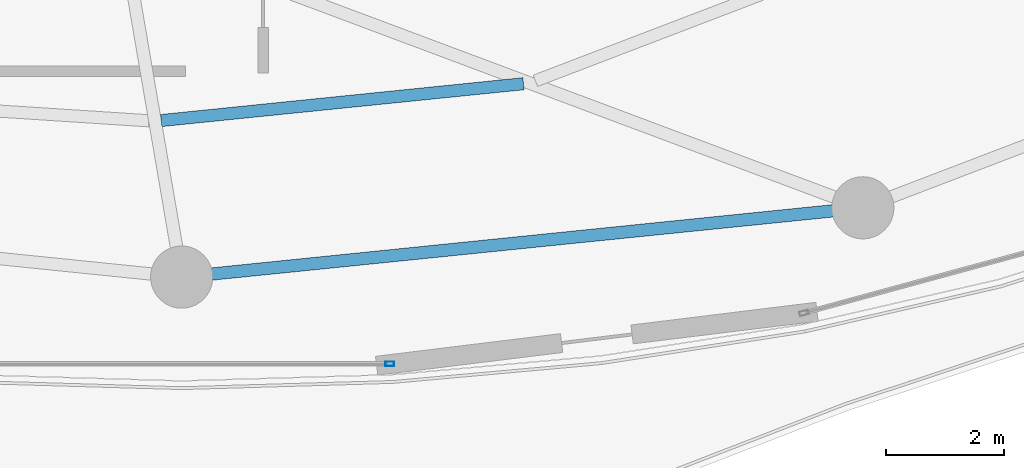
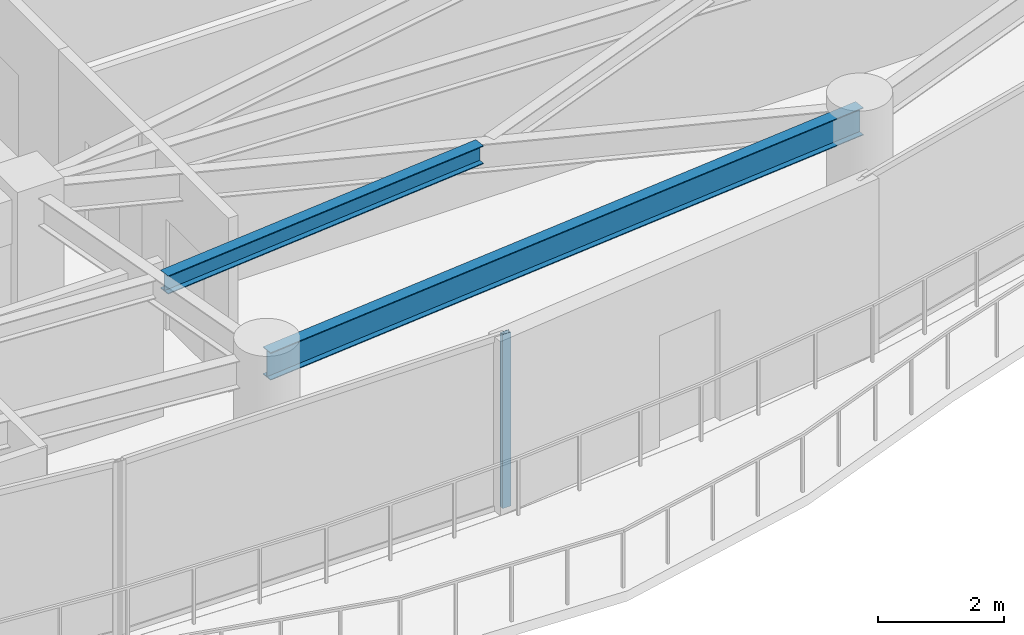
# One storey, part 10 of 31: 2 beams, 1 member, 1 element without a shape of its own.
"""IFC4 building model written with IfcOpenShell, lengths in metres."""

import ifcopenshell
import ifcopenshell.guid

model = None  # the IFC model being written
_history = None  # IfcOwnerHistory: only IFC2X3 demands one
_inside = {}  # id of a spatial element -> (the spatial element, [elements in it])
_under = {}  # id of a project, library or spatial element -> (it, [spatial elements below it])
_declared = {}  # id of a project -> (the project, [libraries it declares])
_typed = {}  # id of a type object -> (the type object, [elements of that type])
_made_of = {}  # id of a material, layer set ... -> (it, [elements and type objects made of it])


def new_model(schema):
    """Start an empty IFC model of exactly this schema.

    Asked for "IFC4X3", IfcOpenShell would pick the latest addendum, in which some entities
    have other attributes; the version numbers below select the first issue.
    IFC2X3 requires an IfcOwnerHistory on every rooted entity: one is made here for all.
    """
    global model, _history
    if schema == "IFC4X3":
        model = ifcopenshell.file(schema_version=(4, 3, 0, 0))
    else:
        model = ifcopenshell.file(schema=schema)
    _inside.clear()
    _under.clear()
    _declared.clear()
    _typed.clear()
    _made_of.clear()
    _history = None
    if model.schema == "IFC2X3":
        org = make("IfcOrganization", Name="unknown")
        user = make(
            "IfcPersonAndOrganization",
            ThePerson=make("IfcPerson", FamilyName="unknown"),
            TheOrganization=org,
        )
        app = make(
            "IfcApplication",
            ApplicationDeveloper=org,
            Version="unknown",
            ApplicationFullName="unknown",
            ApplicationIdentifier="unknown",
        )
        _history = make(
            "IfcOwnerHistory",
            OwningUser=user,
            OwningApplication=app,
            ChangeAction="ADDED",
            CreationDate=0,
        )
    return model


def make(cls, **values):
    """One entity of the class cls with the attributes given. An attribute that is None is left unset."""
    return model.create_entity(
        cls, **{name: value for name, value in values.items() if value is not None}
    )


def rooted(cls, **values):
    """An entity with a GlobalId (a new one), such as an element, a storey or a relation."""
    return make(cls, GlobalId=ifcopenshell.guid.new(), OwnerHistory=_history, **values)


def si_unit(unit_type, name, prefix=None):
    """IfcSIUnit, for example si_unit("LENGTHUNIT", "METRE", prefix="MILLI")."""
    return make("IfcSIUnit", UnitType=unit_type, Prefix=prefix, Name=name)


def assignment(units):
    """IfcUnitAssignment: the units of a project."""
    return None if units is None else make("IfcUnitAssignment", Units=units)


def point(xyz):
    """IfcCartesianPoint."""
    return None if xyz is None else make("IfcCartesianPoint", Coordinates=xyz)


def direction(xyz):
    """IfcDirection."""
    return None if xyz is None else make("IfcDirection", DirectionRatios=xyz)


def frame(location, z_axis=None, x_axis=None):
    """IfcAxis2Placement3D, a coordinate frame: its origin and axes. An axis left out is left unset."""
    return make(
        "IfcAxis2Placement3D",
        Location=point(location),
        Axis=direction(z_axis),
        RefDirection=direction(x_axis),
    )


def frame_2d(location, x_axis=None):
    """IfcAxis2Placement2D, a coordinate frame in the plane: its origin and x axis."""
    return make(
        "IfcAxis2Placement2D", Location=point(location), RefDirection=direction(x_axis)
    )


def origin():
    """The frame at (0, 0, 0) with its axes left unset."""
    return frame((0.0, 0.0, 0.0))


def origin_2d():
    """The frame at (0, 0) in the plane with its x axis left unset."""
    return frame_2d((0.0, 0.0))


def place(relative_to, where):
    """IfcLocalPlacement: puts the frame where relative to a parent placement (None: the world)."""
    return make(
        "IfcLocalPlacement", PlacementRelTo=relative_to, RelativePlacement=where
    )


def context(
    kind, dimensions, precision=None, world=None, true_north=None, identifier=None
):
    """IfcGeometricRepresentationContext, for example the 3D "Model" context."""
    return make(
        "IfcGeometricRepresentationContext",
        ContextIdentifier=identifier,
        ContextType=kind,
        CoordinateSpaceDimension=dimensions,
        Precision=precision,
        WorldCoordinateSystem=world,
        TrueNorth=true_north,
    )


def subcontext(parent, identifier, kind, view, scale=None):
    """IfcGeometricRepresentationSubContext, for example "Body" below "Model"."""
    return make(
        "IfcGeometricRepresentationSubContext",
        ContextIdentifier=identifier,
        ContextType=kind,
        ParentContext=parent,
        TargetScale=scale,
        TargetView=view,
    )


def project(units=None, contexts=None):
    """IfcProject with its units and contexts."""
    return rooted(
        "IfcProject",
        Name="project",
        RepresentationContexts=contexts,
        UnitsInContext=assignment(units),
    )


def spatial(cls, under=None, at=None, **own):
    """A site, building, storey or space (cls), placed at a placement, below another one or the project."""
    s = rooted(cls, ObjectPlacement=at, **own)
    if under is not None:
        _under.setdefault(under.id(), (under, []))[1].append(s)
    return s


def profile(cls, at=None, kind="AREA", **sizes):
    """A parametric profile (cls). Its sizes go by their IFC names, for example OverallWidth=200.0."""
    return make(cls, ProfileType=kind, Position=at, **sizes)


def hollow_rectangle(**sizes):
    """IfcRectangleHollowProfileDef."""
    return profile("IfcRectangleHollowProfileDef", **sizes)


def i_section(**sizes):
    """IfcIShapeProfileDef."""
    return profile("IfcIShapeProfileDef", **sizes)


def extrude(swept, where, along, depth):
    """IfcExtrudedAreaSolid: the profile swept, set in the frame where, extruded along a direction by depth."""
    return make(
        "IfcExtrudedAreaSolid",
        SweptArea=swept,
        Position=where,
        ExtrudedDirection=direction(along),
        Depth=depth,
    )


def shape(context_of_items, identifier, shape_type, items):
    """IfcShapeRepresentation: the items that make up one representation, for example the "Body"."""
    return make(
        "IfcShapeRepresentation",
        ContextOfItems=context_of_items,
        RepresentationIdentifier=identifier,
        RepresentationType=shape_type,
        Items=items,
    )


def material(Name=None, Category=None):
    """IfcMaterial."""
    return make("IfcMaterial", Name=Name, Category=Category)


def layer(
    of_material, thickness, ventilated=None, Name=None, Category=None, Priority=None
):
    """IfcMaterialLayer: one layer of a wall or slab, of a material (None: an air gap)."""
    return make(
        "IfcMaterialLayer",
        Material=of_material,
        LayerThickness=thickness,
        IsVentilated=ventilated,
        Name=Name,
        Category=Category,
        Priority=Priority,
    )


def layer_set(layers, Name=None):
    """IfcMaterialLayerSet."""
    return make("IfcMaterialLayerSet", MaterialLayers=layers, LayerSetName=Name)


def material_profile(
    of_material, cross_section, Name=None, Category=None, Priority=None
):
    """IfcMaterialProfile: a cross section and its material."""
    return make(
        "IfcMaterialProfile",
        Name=Name,
        Material=of_material,
        Profile=cross_section,
        Priority=Priority,
        Category=Category,
    )


def profile_set(profiles, Name=None, composite=None):
    """IfcMaterialProfileSet."""
    return make(
        "IfcMaterialProfileSet",
        Name=Name,
        MaterialProfiles=profiles,
        CompositeProfile=composite,
    )


def made_of(thing, what):
    """Note that an element or type object is made of a material, layer set ...; save() writes the relation."""
    if what is not None:
        _made_of.setdefault(what.id(), (what, []))[1].append(thing)
    return thing


def type_object(cls, material=None, **own):
    """A type object (cls), such as IfcWallType, which elements share."""
    return made_of(rooted(cls, **own), material)


def element(
    cls,
    number,
    at=None,
    inside=None,
    cuts=None,
    type_object=None,
    material=None,
    context=None,
    identifier="Body",
    shape_type=None,
    held_by="IfcProductDefinitionShape",
    body=None,
    shapes=None,
    **own,
):
    """One element of the class cls, such as IfcWall. Its Tag is "e" and its number.

    at: its placement. inside: the storey or other place that contains it. cuts: it is an
    opening in that element (IfcRelVoidsElement). A single representation is given by context,
    identifier, shape_type and body (its items); several are given by shapes. held_by: the class
    of the entity that holds the representations. save() writes the other relations.
    """
    e = rooted(cls, Tag="e%d" % number, ObjectPlacement=at, **own)
    if body is not None:
        shapes = [shape(context, identifier, shape_type, body)]
    if shapes is not None:
        e.Representation = make(held_by, Representations=shapes)
    if inside is not None:
        _inside.setdefault(inside.id(), (inside, []))[1].append(e)
    if cuts is not None:
        rooted(
            "IfcRelVoidsElement", RelatingBuildingElement=cuts, RelatedOpeningElement=e
        )
    if type_object is not None:
        _typed.setdefault(type_object.id(), (type_object, []))[1].append(e)
    return made_of(e, material)


def aggregate(whole, parts):
    """IfcRelAggregates: a whole, such as a stair, and the parts it consists of."""
    return rooted("IfcRelAggregates", RelatingObject=whole, RelatedObjects=parts)


def save(model, path):
    """Write the relations noted so far, then the file.

    IfcRelAggregates (storeys below a building ...), IfcRelContainedInSpatialStructure (elements
    in a storey), IfcRelDefinesByType, IfcRelAssociatesMaterial and IfcRelDeclares: one each for
    every whole, place, type object, material and project.
    """
    for whole, parts in _under.values():
        aggregate(whole, parts)
    for where, things in _inside.values():
        rooted(
            "IfcRelContainedInSpatialStructure",
            RelatedElements=things,
            RelatingStructure=where,
        )
    for kind, things in _typed.values():
        rooted("IfcRelDefinesByType", RelatedObjects=things, RelatingType=kind)
    for what, things in _made_of.values():
        rooted("IfcRelAssociatesMaterial", RelatedObjects=things, RelatingMaterial=what)
    for by, libraries in _declared.values():
        rooted("IfcRelDeclares", RelatingContext=by, RelatedDefinitions=libraries)
    model.write(path)


model = new_model("IFC4")

# Units and contexts
model_context = context("Model", 3, precision=1e-05, world=origin(), true_north=direction((0.0, 1.0)))
body_context = subcontext(model_context, "Body", "Model", "MODEL_VIEW")
ifc_project = project(units=[si_unit("LENGTHUNIT", "METRE"), si_unit("AREAUNIT", "SQUARE_METRE"), si_unit("VOLUMEUNIT", "CUBIC_METRE"), si_unit("PLANEANGLEUNIT", "RADIAN"), si_unit("MASSUNIT", "GRAM", prefix="KILO")], contexts=[model_context])

# Site, building, storey
site_placement = place(None, origin())
site = spatial("IfcSite", under=ifc_project, at=site_placement, CompositionType="ELEMENT")
building_placement = place(site_placement, origin())
building = spatial("IfcBuilding", under=site, at=building_placement, Name="Kazevale Care Tower and Concert Hall", CompositionType="ELEMENT")
storey_placement = place(building_placement, frame((0.0, 0.0, 220.800048828125)))
storey = spatial("IfcBuildingStorey", under=building, at=storey_placement, Name="L58", CompositionType="ELEMENT", Elevation=220.800048828125)

# Curtain wall, member
ifc_material_1 = material(Name="Aluminium 6063-T6 and Low-E Glass", Category="aluminium")
ifc_layer = layer(ifc_material_1, 0.179931640625)
ifc_layer_set = layer_set([ifc_layer], Name="Aluminium 6063-T6 and Low-E Glass")
curtain_wall_type = type_object("IfcCurtainWallType", Name="Sheltered Concave Balcony Curtain Wall CW-5", PredefinedType="NOTDEFINED", material=ifc_layer_set)
curtain_wall_placement = place(storey_placement, origin())
curtain_wall = element("IfcCurtainWall", 1, at=curtain_wall_placement, inside=storey, type_object=curtain_wall_type, Name="cw:L58:f06", PredefinedType="NOTDEFINED")
ifc_material_2 = material(Name="Aluminium 6063-T6", Category="aluminium")
ifc_material_profile_1 = material_profile(ifc_material_2, hollow_rectangle(XDim=0.074951171875, YDim=0.14990234375, WallThickness=0.00390625, at=origin_2d()), Name="ALU75x150x4")
ifc_profile_set_1 = profile_set([ifc_material_profile_1], Name="Aluminium 6063-T6")
member_type = type_object("IfcMemberType", Name="CW-5 Mullion ALU75x150x4", PredefinedType="MULLION", material=ifc_profile_set_1)
member_placement = place(storey_placement, frame((48.512451171875, 16.284912109375, 0.0), z_axis=(0.0, 0.0, 1.0), x_axis=(0.0, -1.0, 0.0)))
member = element("IfcMember", 2, at=member_placement, type_object=member_type, Name="CW-5 mullion 1", PredefinedType="MULLION", context=body_context, shape_type="SweptSolid", body=[
    extrude(hollow_rectangle(XDim=0.074951171875, YDim=0.14990234375, WallThickness=0.00390625, at=origin_2d()), origin(), (0.0, 0.0, 1.0), 3.35986328125),
])
aggregate(curtain_wall, [member])

# Beams
ifc_material_3 = material(Name="Steel ASTM A572 Gr 50", Category="steel")
ifc_material_profile_2 = material_profile(ifc_material_3, i_section(OverallWidth=0.205078125, OverallDepth=0.35400390625, WebThickness=0.009521484375, FlangeThickness=0.016845703125, at=origin_2d()), Name="W360x79")
ifc_profile_set_2 = profile_set([ifc_material_profile_2], Name="Steel ASTM A572 Gr 50")
beam_type_1 = type_object("IfcBeamType", Name="Secondary Floor Joist W360x79", PredefinedType="JOIST", material=ifc_profile_set_2)
beam_1_placement = place(storey_placement, frame((44.654052734375, 20.39306640625, 3.182861328125), z_axis=(0.994872697807, 0.10113513316, 0.0), x_axis=(-0.10113513316, 0.994872697807, 0.0)))
element("IfcBeam", 3, at=beam_1_placement, inside=storey, type_object=beam_type_1, Name="beam:L58:joist:13", PredefinedType="JOIST", context=body_context, shape_type="SweptSolid", body=[
    extrude(i_section(OverallWidth=0.205078125, OverallDepth=0.35400390625, WebThickness=0.009521484375, FlangeThickness=0.016845703125, at=origin_2d()), origin(), (0.0, 0.0, 1.0), 6.1484375),
])
ifc_material_profile_3 = material_profile(ifc_material_3, i_section(OverallWidth=0.208984375, OverallDepth=0.532958984375, WebThickness=0.01025390625, FlangeThickness=0.015625, at=origin_2d()), Name="W530x92")
ifc_profile_set_3 = profile_set([ifc_material_profile_3], Name="Steel ASTM A572 Gr 50")
beam_type_2 = type_object("IfcBeamType", Name="Upper Ring Beam W530x92", PredefinedType="BEAM", material=ifc_profile_set_3)
beam_2_placement = place(storey_placement, frame((45.0, 17.75, 3.093505859375), z_axis=(0.994865089307, 0.101209950492, 0.0), x_axis=(-0.101209950492, 0.994865089307, 0.0)))
element("IfcBeam", 4, at=beam_2_placement, inside=storey, type_object=beam_type_2, Name="beam:L58:ring:13", PredefinedType="BEAM", context=body_context, shape_type="SweptSolid", body=[
    extrude(i_section(OverallWidth=0.208984375, OverallDepth=0.532958984375, WebThickness=0.01025390625, FlangeThickness=0.015625, at=origin_2d()), origin(), (0.0, 0.0, 1.0), 11.559326171875),
])

save(model, "model.ifc")
